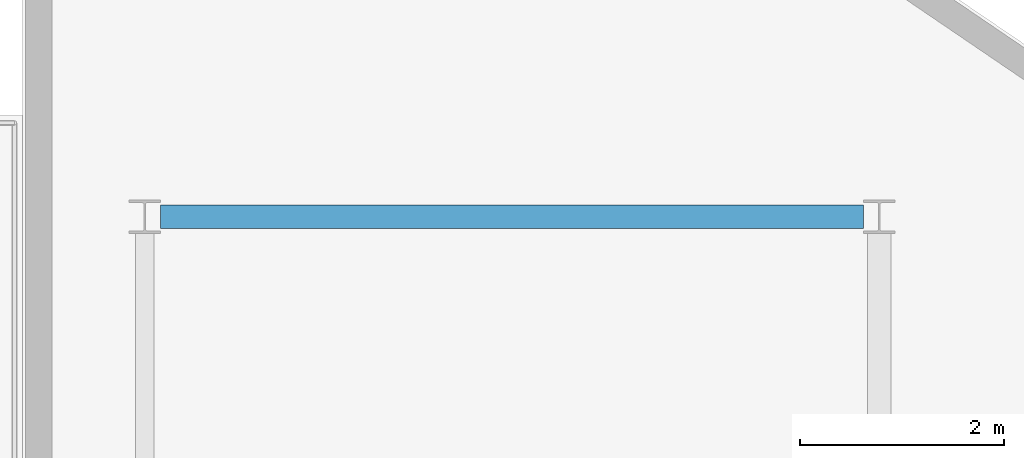
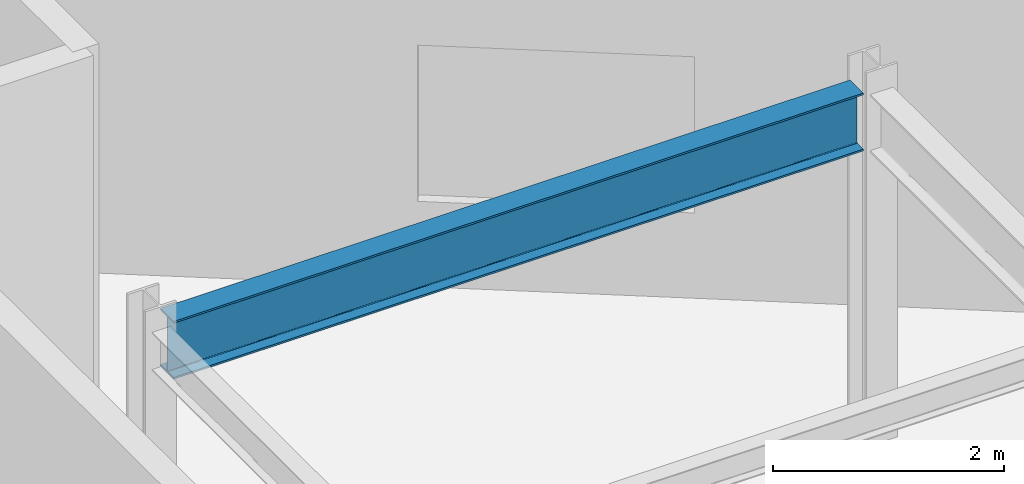
# One storey, part 9 of 20: 1 beam.
"""IFC4 building model written with IfcOpenShell, lengths in metres."""

from ifc_helpers import new_model, si_unit, direction, frame, origin, origin_2d, place, context, subcontext, project, spatial, i_section, extrude, material, material_profile, profile_set, type_object, element, save


model = new_model("IFC4")

# Units and contexts
model_context = context("Model", 3, precision=1e-05, world=origin(), true_north=direction((0.0, 1.0)))
body_context = subcontext(model_context, "Body", "Model", "MODEL_VIEW")
ifc_project = project(units=[si_unit("LENGTHUNIT", "METRE"), si_unit("AREAUNIT", "SQUARE_METRE"), si_unit("VOLUMEUNIT", "CUBIC_METRE"), si_unit("PLANEANGLEUNIT", "RADIAN"), si_unit("MASSUNIT", "GRAM", prefix="KILO")], contexts=[model_context])

# Site, building, storey
site_placement = place(None, origin())
site = spatial("IfcSite", under=ifc_project, at=site_placement, CompositionType="ELEMENT")
building_placement = place(site_placement, origin())
building = spatial("IfcBuilding", under=site, at=building_placement, Name="Varnakote Quay Hospital", CompositionType="ELEMENT")
storey_placement = place(building_placement, frame((0.0, 0.0, 81.75)))
storey = spatial("IfcBuildingStorey", under=building, at=storey_placement, Name="L20", CompositionType="ELEMENT", Elevation=81.75)

# Beam
ifc_material = material(Name="Structural steel AS/NZS 3679.1 Grade 350 L0 (fy 340 MPa)", Category="steel")
ifc_material_profile = material_profile(ifc_material, i_section(OverallWidth=0.22900390625, OverallDepth=0.612060546875, WebThickness=0.011962890625, FlangeThickness=0.01953125, FilletRadius=0.013916015625, at=origin_2d()), Name="610UB125")
ifc_profile_set = profile_set([ifc_material_profile], Name="Structural steel AS/NZS 3679.1 Grade 350 L0 (fy 340 MPa)")
beam_type = type_object("IfcBeamType", Name="BM-STL-610UB125", PredefinedType="BEAM", material=ifc_profile_set)
beam_placement = place(storey_placement, frame((1.35546875, 37.199951171875, 3.404052734375), z_axis=(1.0, 0.0, 0.0), x_axis=(0.0, 1.0, 0.0)))
element("IfcBeam", 1, at=beam_placement, inside=storey, type_object=beam_type, Name="L20 Primary Floor Beam", PredefinedType="BEAM", context=body_context, shape_type="SweptSolid", body=[
    extrude(i_section(OverallWidth=0.22900390625, OverallDepth=0.612060546875, WebThickness=0.011962890625, FlangeThickness=0.01953125, FilletRadius=0.013916015625, at=origin_2d()), origin(), (0.0, 0.0, 1.0), 6.888916015625),
])

save(model, "model.ifc")
